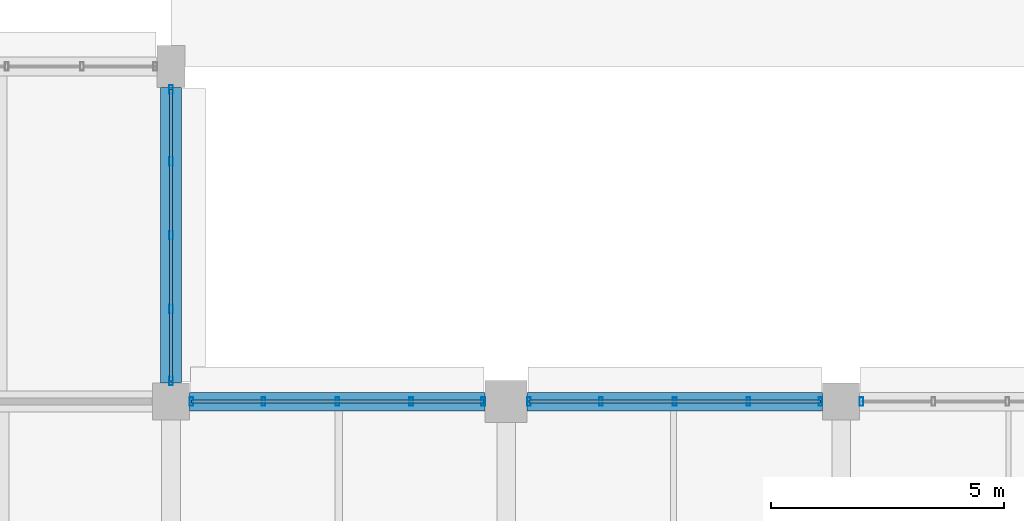
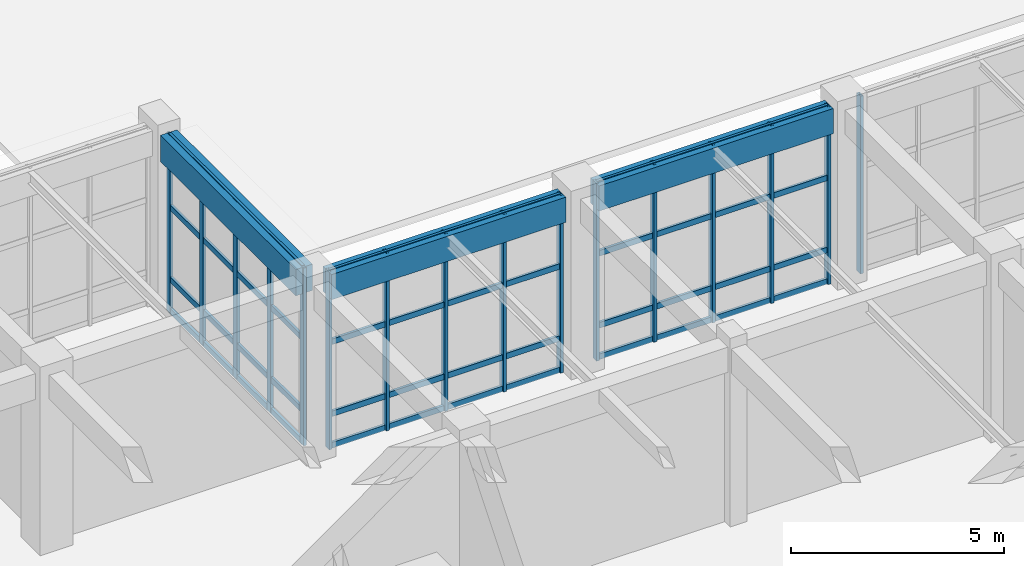
# One storey, part 17 of 160: 28 members, 3 beams, 4 elements without a shape of their own.
"""IFC4 building model written with IfcOpenShell, lengths in metres."""

from ifc_helpers import new_model, si_unit, direction, frame, origin, origin_2d, place, context, subcontext, project, spatial, rectangle, hollow_rectangle, extrude, material, material_profile, profile_set, type_object, element, aggregate, save


model = new_model("IFC4")

# Units and contexts
model_context = context("Model", 3, precision=1e-05, world=origin(), true_north=direction((0.0, 1.0)))
body_context = subcontext(model_context, "Body", "Model", "MODEL_VIEW")
ifc_project = project(units=[si_unit("LENGTHUNIT", "METRE"), si_unit("AREAUNIT", "SQUARE_METRE"), si_unit("VOLUMEUNIT", "CUBIC_METRE"), si_unit("PLANEANGLEUNIT", "RADIAN"), si_unit("MASSUNIT", "GRAM", prefix="KILO")], contexts=[model_context])

# Site, building, storey
site_placement = place(None, origin())
site = spatial("IfcSite", under=ifc_project, at=site_placement, CompositionType="ELEMENT")
building_placement = place(site_placement, origin())
building = spatial("IfcBuilding", under=site, at=building_placement, Name="Thalmaran Polytechnic", CompositionType="ELEMENT")
storey_placement = place(building_placement, origin())
storey = spatial("IfcBuildingStorey", under=building, at=storey_placement, Name="L00", CompositionType="ELEMENT", Elevation=0.0)

# Beams
ifc_material_1 = material(Name="Concrete C40/50", Category="concrete")
ifc_material_profile_1 = material_profile(ifc_material_1, rectangle(XDim=0.39990234375, YDim=0.719970703125, at=origin_2d()), Name="RC 400x720")
ifc_profile_set_1 = profile_set([ifc_material_profile_1], Name="Concrete C40/50")
beam_type_1 = type_object("IfcBeamType", Name="BM-SP01", PredefinedType="SPANDREL", material=ifc_profile_set_1)
for number, where, z_axis, x_axis, name in (
    (1, (29.199951171875, 21.60009765625, 4.72998046875), (1.0, 0.0, 0.0), (0.0, 1.0, 0.0), "Grid Beam SP01 L00 X(4,3)"),
    (2, (36.449951171875, 21.60009765625, 4.72998046875), (1.0, 0.0, 0.0), (0.0, 1.0, 0.0), "Grid Beam SP01 L00 X(5,3)"),
):
    element("IfcBeam", number, at=place(storey_placement, frame(where, z_axis=z_axis, x_axis=x_axis)), inside=storey, type_object=beam_type_1, Name=name, PredefinedType="SPANDREL", context=body_context, shape_type="SweptSolid", body=[
        extrude(rectangle(XDim=0.39990234375, YDim=0.719970703125, at=origin_2d()), origin(), (0.0, 0.0, 1.0), 6.35009765625),
    ])
ifc_material_profile_2 = material_profile(ifc_material_1, rectangle(XDim=0.449951171875, YDim=0.7548828125, at=origin_2d()), Name="RC 450x755")
ifc_profile_set_2 = profile_set([ifc_material_profile_2], Name="Concrete C40/50")
beam_type_2 = type_object("IfcBeamType", Name="BM-SP02", PredefinedType="SPANDREL", material=ifc_profile_set_2)
beam_placement = place(storey_placement, frame((28.800048828125, 22.0, 4.71240234375), z_axis=(0.0, 1.0, 0.0), x_axis=(-1.0, 0.0, 0.0)))
element("IfcBeam", 3, at=beam_placement, inside=storey, type_object=beam_type_2, Name="Grid Beam SP02 L00 Y(4,3)", PredefinedType="SPANDREL", context=body_context, shape_type="SweptSolid", body=[
    extrude(rectangle(XDim=0.449951171875, YDim=0.7548828125, at=origin_2d()), origin(), (0.0, 0.0, 1.0), 6.35009765625),
])

# Curtain wall, members
ifc_material_2 = material(Name="Aluminium 6063-T6", Category="aluminium")
curtain_wall_type = type_object("IfcCurtainWallType", Name="CW-UC01", PredefinedType="USERDEFINED", material=ifc_material_2)
curtain_wall_1_placement = place(storey_placement, origin())
curtain_wall_1 = element("IfcCurtainWall", 4, at=curtain_wall_1_placement, inside=storey, type_object=curtain_wall_type, Name="Curtain Wall CW-L00-049", ObjectType="UNITISED CURTAIN WALL", PredefinedType="USERDEFINED")
ifc_material_profile_3 = material_profile(ifc_material_2, hollow_rectangle(XDim=0.080078125, YDim=0.179931640625, WallThickness=0.0048828125, at=origin_2d()), Name="RHS 180x80x5.0")
ifc_profile_set_3 = profile_set([ifc_material_profile_3], Name="Aluminium 6063-T6")
member_type_1 = type_object("IfcMemberType", Name="CW-MUL1", PredefinedType="MULLION", material=ifc_profile_set_3)
member_1_placement = place(storey_placement, frame((28.800048828125, 28.31005859375, 0.0), z_axis=(0.0, 0.0, 1.0), x_axis=(1.0, 0.0, 0.0)))
member_1 = element("IfcMember", 5, at=member_1_placement, type_object=member_type_1, Name="CW-L00-049 Mullion 1", PredefinedType="MULLION", context=body_context, shape_type="SweptSolid", body=[
    extrude(hollow_rectangle(XDim=0.080078125, YDim=0.179931640625, WallThickness=0.0048828125, at=origin_2d()), origin(), (0.0, 0.0, 1.0), 5.090087890625),
])
member_2_placement = place(storey_placement, frame((28.800048828125, 26.762451171875, 0.0), z_axis=(0.0, 0.0, 1.0), x_axis=(1.0, 0.0, 0.0)))
member_2 = element("IfcMember", 6, at=member_2_placement, type_object=member_type_1, Name="CW-L00-049 Mullion 2", PredefinedType="MULLION", context=body_context, shape_type="SweptSolid", body=[
    extrude(hollow_rectangle(XDim=0.080078125, YDim=0.179931640625, WallThickness=0.0048828125, at=origin_2d()), origin(), (0.0, 0.0, 1.0), 5.090087890625),
])
member_3_placement = place(storey_placement, frame((28.800048828125, 25.175048828125, 0.0), z_axis=(0.0, 0.0, 1.0), x_axis=(1.0, 0.0, 0.0)))
member_3 = element("IfcMember", 7, at=member_3_placement, type_object=member_type_1, Name="CW-L00-049 Mullion 3", PredefinedType="MULLION", context=body_context, shape_type="SweptSolid", body=[
    extrude(hollow_rectangle(XDim=0.080078125, YDim=0.179931640625, WallThickness=0.0048828125, at=origin_2d()), origin(), (0.0, 0.0, 1.0), 5.090087890625),
])
member_4_placement = place(storey_placement, frame((28.800048828125, 23.58740234375, 0.0), z_axis=(0.0, 0.0, 1.0), x_axis=(1.0, 0.0, 0.0)))
member_4 = element("IfcMember", 8, at=member_4_placement, type_object=member_type_1, Name="CW-L00-049 Mullion 4", PredefinedType="MULLION", context=body_context, shape_type="SweptSolid", body=[
    extrude(hollow_rectangle(XDim=0.080078125, YDim=0.179931640625, WallThickness=0.0048828125, at=origin_2d()), origin(), (0.0, 0.0, 1.0), 5.090087890625),
])
member_5_placement = place(storey_placement, frame((28.800048828125, 22.0400390625, 0.0), z_axis=(0.0, 0.0, 1.0), x_axis=(1.0, 0.0, 0.0)))
member_5 = element("IfcMember", 9, at=member_5_placement, type_object=member_type_1, Name="CW-L00-049 Mullion 5", PredefinedType="MULLION", context=body_context, shape_type="SweptSolid", body=[
    extrude(hollow_rectangle(XDim=0.080078125, YDim=0.179931640625, WallThickness=0.0048828125, at=origin_2d()), origin(), (0.0, 0.0, 1.0), 5.090087890625),
])

curtain_wall_2_placement = place(storey_placement, origin())
curtain_wall_2 = element("IfcCurtainWall", 10, at=curtain_wall_2_placement, inside=storey, type_object=curtain_wall_type, Name="Curtain Wall CW-L00-050", ObjectType="UNITISED CURTAIN WALL", PredefinedType="USERDEFINED")
member_6_placement = place(storey_placement, frame((29.239990234375, 21.60009765625, 0.0), z_axis=(0.0, 0.0, 1.0), x_axis=(1.0, 0.0, 0.0)))
member_6 = element("IfcMember", 11, at=member_6_placement, type_object=member_type_1, Name="CW-L00-050 Mullion 1", PredefinedType="MULLION", context=body_context, shape_type="SweptSolid", body=[
    extrude(hollow_rectangle(XDim=0.080078125, YDim=0.179931640625, WallThickness=0.0048828125, at=origin_2d()), origin(), (0.0, 0.0, 1.0), 5.090087890625),
])
member_7_placement = place(storey_placement, frame((30.78759765625, 21.60009765625, 0.0), z_axis=(0.0, 0.0, 1.0), x_axis=(1.0, 0.0, 0.0)))
member_7 = element("IfcMember", 12, at=member_7_placement, type_object=member_type_1, Name="CW-L00-050 Mullion 2", PredefinedType="MULLION", context=body_context, shape_type="SweptSolid", body=[
    extrude(hollow_rectangle(XDim=0.080078125, YDim=0.179931640625, WallThickness=0.0048828125, at=origin_2d()), origin(), (0.0, 0.0, 1.0), 5.090087890625),
])
member_8_placement = place(storey_placement, frame((32.375, 21.60009765625, 0.0), z_axis=(0.0, 0.0, 1.0), x_axis=(1.0, 0.0, 0.0)))
member_8 = element("IfcMember", 13, at=member_8_placement, type_object=member_type_1, Name="CW-L00-050 Mullion 3", PredefinedType="MULLION", context=body_context, shape_type="SweptSolid", body=[
    extrude(hollow_rectangle(XDim=0.080078125, YDim=0.179931640625, WallThickness=0.0048828125, at=origin_2d()), origin(), (0.0, 0.0, 1.0), 5.090087890625),
])
member_9_placement = place(storey_placement, frame((33.96240234375, 21.60009765625, 0.0), z_axis=(0.0, 0.0, 1.0), x_axis=(1.0, 0.0, 0.0)))
member_9 = element("IfcMember", 14, at=member_9_placement, type_object=member_type_1, Name="CW-L00-050 Mullion 4", PredefinedType="MULLION", context=body_context, shape_type="SweptSolid", body=[
    extrude(hollow_rectangle(XDim=0.080078125, YDim=0.179931640625, WallThickness=0.0048828125, at=origin_2d()), origin(), (0.0, 0.0, 1.0), 5.090087890625),
])
member_10_placement = place(storey_placement, frame((35.510009765625, 21.60009765625, 0.0), z_axis=(0.0, 0.0, 1.0), x_axis=(1.0, 0.0, 0.0)))
member_10 = element("IfcMember", 15, at=member_10_placement, type_object=member_type_1, Name="CW-L00-050 Mullion 5", PredefinedType="MULLION", context=body_context, shape_type="SweptSolid", body=[
    extrude(hollow_rectangle(XDim=0.080078125, YDim=0.179931640625, WallThickness=0.0048828125, at=origin_2d()), origin(), (0.0, 0.0, 1.0), 5.090087890625),
])

curtain_wall_3_placement = place(storey_placement, origin())
curtain_wall_3 = element("IfcCurtainWall", 16, at=curtain_wall_3_placement, inside=storey, type_object=curtain_wall_type, Name="Curtain Wall CW-L00-051", ObjectType="UNITISED CURTAIN WALL", PredefinedType="USERDEFINED")
member_11_placement = place(storey_placement, frame((36.489990234375, 21.60009765625, 0.0), z_axis=(0.0, 0.0, 1.0), x_axis=(1.0, 0.0, 0.0)))
member_11 = element("IfcMember", 17, at=member_11_placement, type_object=member_type_1, Name="CW-L00-051 Mullion 1", PredefinedType="MULLION", context=body_context, shape_type="SweptSolid", body=[
    extrude(hollow_rectangle(XDim=0.080078125, YDim=0.179931640625, WallThickness=0.0048828125, at=origin_2d()), origin(), (0.0, 0.0, 1.0), 5.090087890625),
])
member_12_placement = place(storey_placement, frame((38.03759765625, 21.60009765625, 0.0), z_axis=(0.0, 0.0, 1.0), x_axis=(1.0, 0.0, 0.0)))
member_12 = element("IfcMember", 18, at=member_12_placement, type_object=member_type_1, Name="CW-L00-051 Mullion 2", PredefinedType="MULLION", context=body_context, shape_type="SweptSolid", body=[
    extrude(hollow_rectangle(XDim=0.080078125, YDim=0.179931640625, WallThickness=0.0048828125, at=origin_2d()), origin(), (0.0, 0.0, 1.0), 5.090087890625),
])
member_13_placement = place(storey_placement, frame((39.625, 21.60009765625, 0.0), z_axis=(0.0, 0.0, 1.0), x_axis=(1.0, 0.0, 0.0)))
member_13 = element("IfcMember", 19, at=member_13_placement, type_object=member_type_1, Name="CW-L00-051 Mullion 3", PredefinedType="MULLION", context=body_context, shape_type="SweptSolid", body=[
    extrude(hollow_rectangle(XDim=0.080078125, YDim=0.179931640625, WallThickness=0.0048828125, at=origin_2d()), origin(), (0.0, 0.0, 1.0), 5.090087890625),
])
member_14_placement = place(storey_placement, frame((41.21240234375, 21.60009765625, 0.0), z_axis=(0.0, 0.0, 1.0), x_axis=(1.0, 0.0, 0.0)))
member_14 = element("IfcMember", 20, at=member_14_placement, type_object=member_type_1, Name="CW-L00-051 Mullion 4", PredefinedType="MULLION", context=body_context, shape_type="SweptSolid", body=[
    extrude(hollow_rectangle(XDim=0.080078125, YDim=0.179931640625, WallThickness=0.0048828125, at=origin_2d()), origin(), (0.0, 0.0, 1.0), 5.090087890625),
])
member_15_placement = place(storey_placement, frame((42.760009765625, 21.60009765625, 0.0), z_axis=(0.0, 0.0, 1.0), x_axis=(1.0, 0.0, 0.0)))
member_15 = element("IfcMember", 21, at=member_15_placement, type_object=member_type_1, Name="CW-L00-051 Mullion 5", PredefinedType="MULLION", context=body_context, shape_type="SweptSolid", body=[
    extrude(hollow_rectangle(XDim=0.080078125, YDim=0.179931640625, WallThickness=0.0048828125, at=origin_2d()), origin(), (0.0, 0.0, 1.0), 5.090087890625),
])

# Curtain wall, member
curtain_wall_4_placement = place(storey_placement, origin())
curtain_wall_4 = element("IfcCurtainWall", 22, at=curtain_wall_4_placement, inside=storey, type_object=curtain_wall_type, Name="Curtain Wall CW-L00-052", ObjectType="UNITISED CURTAIN WALL", PredefinedType="USERDEFINED")
member_16_placement = place(storey_placement, frame((43.639892578125, 21.60009765625, 0.0), z_axis=(0.0, 0.0, 1.0), x_axis=(1.0, 0.0, 0.0)))
member_16 = element("IfcMember", 23, at=member_16_placement, type_object=member_type_1, Name="CW-L00-052 Mullion 1", PredefinedType="MULLION", context=body_context, shape_type="SweptSolid", body=[
    extrude(hollow_rectangle(XDim=0.080078125, YDim=0.179931640625, WallThickness=0.0048828125, at=origin_2d()), origin(), (0.0, 0.0, 1.0), 5.090087890625),
])
aggregate(curtain_wall_4, [member_16])

# Member
ifc_material_profile_4 = material_profile(ifc_material_2, hollow_rectangle(XDim=0.070068359375, YDim=0.159912109375, WallThickness=0.00390625, at=origin_2d()), Name="AL 160x70x4.0")
ifc_profile_set_4 = profile_set([ifc_material_profile_4], Name="Aluminium 6063-T6")
member_type_2 = type_object("IfcMemberType", Name="CW-TRN1", PredefinedType="USERDEFINED", material=ifc_profile_set_4)
member_17_placement = place(storey_placement, frame((28.800048828125, 28.31005859375, 0.06005859375), z_axis=(0.0, -1.0, 0.0), x_axis=(1.0, 0.0, 0.0)))
member_17 = element("IfcMember", 24, at=member_17_placement, type_object=member_type_2, Name="CW-L00-049 Transom 1", ObjectType="TRANSOM", PredefinedType="USERDEFINED", context=body_context, shape_type="SweptSolid", body=[
    extrude(hollow_rectangle(XDim=0.070068359375, YDim=0.159912109375, WallThickness=0.00390625, at=origin_2d()), origin(), (0.0, 0.0, 1.0), 6.27001953125),
])

member_18_placement = place(storey_placement, frame((28.800048828125, 28.31005859375, 0.9599609375), z_axis=(0.0, -1.0, 0.0), x_axis=(1.0, 0.0, 0.0)))
member_18 = element("IfcMember", 25, at=member_18_placement, type_object=member_type_2, Name="CW-L00-049 Transom 2", ObjectType="TRANSOM", PredefinedType="USERDEFINED", context=body_context, shape_type="SweptSolid", body=[
    extrude(hollow_rectangle(XDim=0.070068359375, YDim=0.159912109375, WallThickness=0.00390625, at=origin_2d()), origin(), (0.0, 0.0, 1.0), 6.27001953125),
])

member_19_placement = place(storey_placement, frame((28.800048828125, 28.31005859375, 3.02490234375), z_axis=(0.0, -1.0, 0.0), x_axis=(1.0, 0.0, 0.0)))
member_19 = element("IfcMember", 26, at=member_19_placement, type_object=member_type_2, Name="CW-L00-049 Transom 3", ObjectType="TRANSOM", PredefinedType="USERDEFINED", context=body_context, shape_type="SweptSolid", body=[
    extrude(hollow_rectangle(XDim=0.070068359375, YDim=0.159912109375, WallThickness=0.00390625, at=origin_2d()), origin(), (0.0, 0.0, 1.0), 6.27001953125),
])

member_20_placement = place(storey_placement, frame((28.800048828125, 28.31005859375, 5.030029296875), z_axis=(0.0, -1.0, 0.0), x_axis=(1.0, 0.0, 0.0)))
member_20 = element("IfcMember", 27, at=member_20_placement, type_object=member_type_2, Name="CW-L00-049 Transom 4", ObjectType="TRANSOM", PredefinedType="USERDEFINED", context=body_context, shape_type="SweptSolid", body=[
    extrude(hollow_rectangle(XDim=0.070068359375, YDim=0.159912109375, WallThickness=0.00390625, at=origin_2d()), origin(), (0.0, 0.0, 1.0), 6.27001953125),
])

aggregate(curtain_wall_1, [member_1, member_2, member_3, member_4, member_5, member_17, member_18, member_19, member_20])

member_21_placement = place(storey_placement, frame((29.239990234375, 21.60009765625, 0.06005859375), z_axis=(1.0, 0.0, 0.0), x_axis=(0.0, 1.0, 0.0)))
member_21 = element("IfcMember", 28, at=member_21_placement, type_object=member_type_2, Name="CW-L00-050 Transom 1", ObjectType="TRANSOM", PredefinedType="USERDEFINED", context=body_context, shape_type="SweptSolid", body=[
    extrude(hollow_rectangle(XDim=0.070068359375, YDim=0.159912109375, WallThickness=0.00390625, at=origin_2d()), origin(), (0.0, 0.0, 1.0), 6.27001953125),
])

member_22_placement = place(storey_placement, frame((29.239990234375, 21.60009765625, 0.9599609375), z_axis=(1.0, 0.0, 0.0), x_axis=(0.0, 1.0, 0.0)))
member_22 = element("IfcMember", 29, at=member_22_placement, type_object=member_type_2, Name="CW-L00-050 Transom 2", ObjectType="TRANSOM", PredefinedType="USERDEFINED", context=body_context, shape_type="SweptSolid", body=[
    extrude(hollow_rectangle(XDim=0.070068359375, YDim=0.159912109375, WallThickness=0.00390625, at=origin_2d()), origin(), (0.0, 0.0, 1.0), 6.27001953125),
])

member_23_placement = place(storey_placement, frame((29.239990234375, 21.60009765625, 3.02490234375), z_axis=(1.0, 0.0, 0.0), x_axis=(0.0, 1.0, 0.0)))
member_23 = element("IfcMember", 30, at=member_23_placement, type_object=member_type_2, Name="CW-L00-050 Transom 3", ObjectType="TRANSOM", PredefinedType="USERDEFINED", context=body_context, shape_type="SweptSolid", body=[
    extrude(hollow_rectangle(XDim=0.070068359375, YDim=0.159912109375, WallThickness=0.00390625, at=origin_2d()), origin(), (0.0, 0.0, 1.0), 6.27001953125),
])

member_24_placement = place(storey_placement, frame((29.239990234375, 21.60009765625, 5.030029296875), z_axis=(1.0, 0.0, 0.0), x_axis=(0.0, 1.0, 0.0)))
member_24 = element("IfcMember", 31, at=member_24_placement, type_object=member_type_2, Name="CW-L00-050 Transom 4", ObjectType="TRANSOM", PredefinedType="USERDEFINED", context=body_context, shape_type="SweptSolid", body=[
    extrude(hollow_rectangle(XDim=0.070068359375, YDim=0.159912109375, WallThickness=0.00390625, at=origin_2d()), origin(), (0.0, 0.0, 1.0), 6.27001953125),
])

aggregate(curtain_wall_2, [member_6, member_7, member_8, member_9, member_10, member_21, member_22, member_23, member_24])

member_25_placement = place(storey_placement, frame((36.489990234375, 21.60009765625, 0.06005859375), z_axis=(1.0, 0.0, 0.0), x_axis=(0.0, 1.0, 0.0)))
member_25 = element("IfcMember", 32, at=member_25_placement, type_object=member_type_2, Name="CW-L00-051 Transom 1", ObjectType="TRANSOM", PredefinedType="USERDEFINED", context=body_context, shape_type="SweptSolid", body=[
    extrude(hollow_rectangle(XDim=0.070068359375, YDim=0.159912109375, WallThickness=0.00390625, at=origin_2d()), origin(), (0.0, 0.0, 1.0), 6.27001953125),
])

member_26_placement = place(storey_placement, frame((36.489990234375, 21.60009765625, 0.9599609375), z_axis=(1.0, 0.0, 0.0), x_axis=(0.0, 1.0, 0.0)))
member_26 = element("IfcMember", 33, at=member_26_placement, type_object=member_type_2, Name="CW-L00-051 Transom 2", ObjectType="TRANSOM", PredefinedType="USERDEFINED", context=body_context, shape_type="SweptSolid", body=[
    extrude(hollow_rectangle(XDim=0.070068359375, YDim=0.159912109375, WallThickness=0.00390625, at=origin_2d()), origin(), (0.0, 0.0, 1.0), 6.27001953125),
])

member_27_placement = place(storey_placement, frame((36.489990234375, 21.60009765625, 3.02490234375), z_axis=(1.0, 0.0, 0.0), x_axis=(0.0, 1.0, 0.0)))
member_27 = element("IfcMember", 34, at=member_27_placement, type_object=member_type_2, Name="CW-L00-051 Transom 3", ObjectType="TRANSOM", PredefinedType="USERDEFINED", context=body_context, shape_type="SweptSolid", body=[
    extrude(hollow_rectangle(XDim=0.070068359375, YDim=0.159912109375, WallThickness=0.00390625, at=origin_2d()), origin(), (0.0, 0.0, 1.0), 6.27001953125),
])

member_28_placement = place(storey_placement, frame((36.489990234375, 21.60009765625, 5.030029296875), z_axis=(1.0, 0.0, 0.0), x_axis=(0.0, 1.0, 0.0)))
member_28 = element("IfcMember", 35, at=member_28_placement, type_object=member_type_2, Name="CW-L00-051 Transom 4", ObjectType="TRANSOM", PredefinedType="USERDEFINED", context=body_context, shape_type="SweptSolid", body=[
    extrude(hollow_rectangle(XDim=0.070068359375, YDim=0.159912109375, WallThickness=0.00390625, at=origin_2d()), origin(), (0.0, 0.0, 1.0), 6.27001953125),
])

aggregate(curtain_wall_3, [member_11, member_12, member_13, member_14, member_15, member_25, member_26, member_27, member_28])

save(model, "model.ifc")
